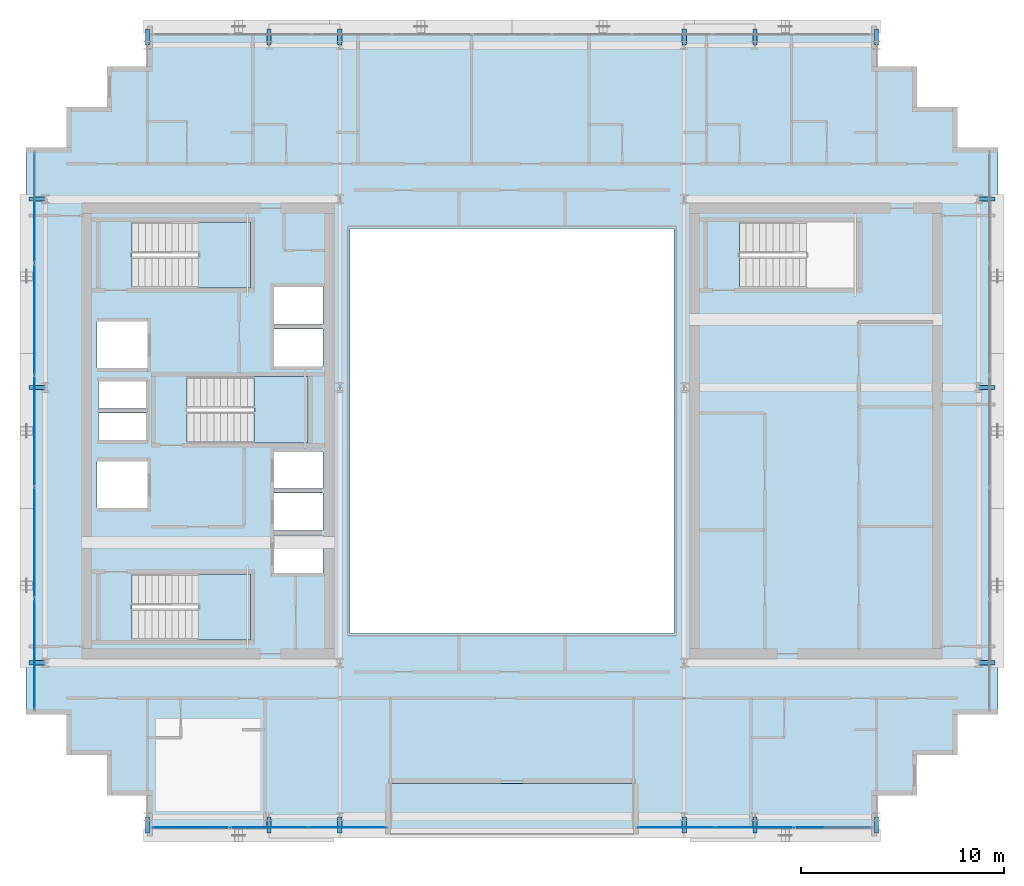
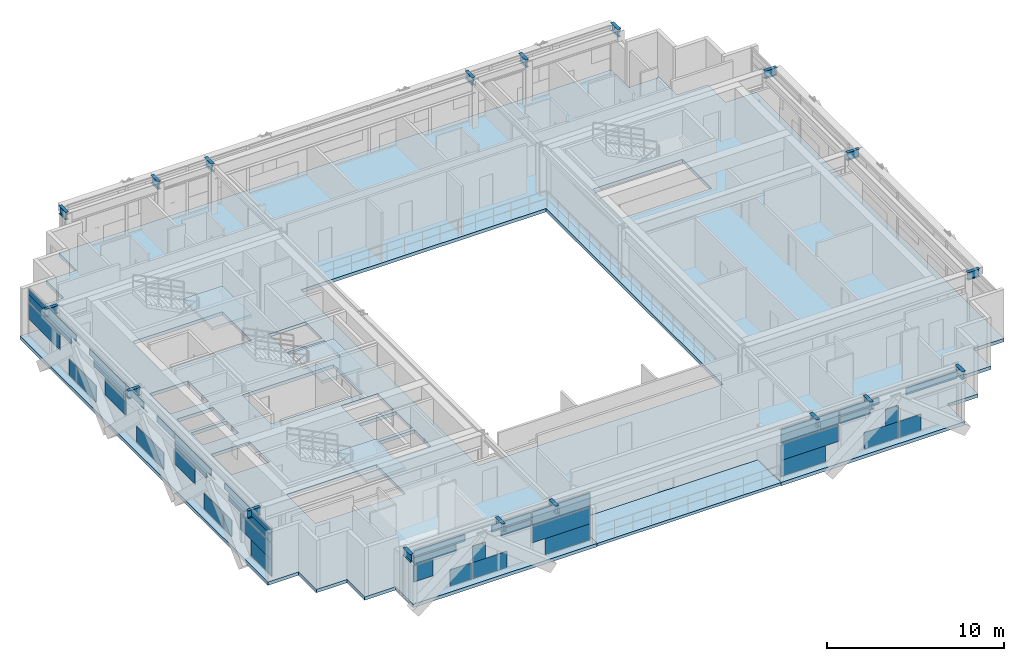
# One storey, part 20 of 31: 40 plates, 18 beams, 5 slabs, 6 elements without a shape of their own.
"""IFC4 building model written with IfcOpenShell, lengths in metres."""

from ifc_helpers import new_model, si_unit, direction, frame, origin, origin_2d, place, context, subcontext, project, spatial, polyline, rectangle, i_section, outline, extrude, source, transform, mapped, material, layer, layer_set, material_profile, profile_set, type_object, element, aggregate, save


model = new_model("IFC4")

# Units and contexts
model_context = context("Model", 3, precision=1e-05, world=origin(), true_north=direction((0.0, 1.0)))
body_context = subcontext(model_context, "Body", "Model", "MODEL_VIEW")
ifc_project = project(units=[si_unit("LENGTHUNIT", "METRE"), si_unit("AREAUNIT", "SQUARE_METRE"), si_unit("VOLUMEUNIT", "CUBIC_METRE"), si_unit("PLANEANGLEUNIT", "RADIAN"), si_unit("MASSUNIT", "GRAM", prefix="KILO")], contexts=[model_context])

# Site, building, storey
site_placement = place(None, origin())
site = spatial("IfcSite", under=ifc_project, at=site_placement, CompositionType="ELEMENT")
building_placement = place(site_placement, origin())
building = spatial("IfcBuilding", under=site, at=building_placement, Name="Ocotamira Hotel", CompositionType="ELEMENT")
storey_placement = place(building_placement, frame((0.0, 0.0, 188.39990234375)))
storey = spatial("IfcBuildingStorey", under=building, at=storey_placement, Name="L47", CompositionType="ELEMENT", Elevation=188.39990234375)

# Beams
ifc_material_1 = material(Name="Steel ASTM A992 Grade 50", Category="steel")
ifc_material_profile = material_profile(ifc_material_1, i_section(OverallWidth=0.2099609375, OverallDepth=0.537109375, WebThickness=0.010986328125, FlangeThickness=0.017333984375, FilletRadius=0.012939453125, at=origin_2d()), Name="W21X68")
ifc_profile_set = profile_set([ifc_material_profile], Name="Steel ASTM A992 Grade 50")
beam_type = type_object("IfcBeamType", Name="BM-SEC-W21X68", PredefinedType="JOIST", material=ifc_profile_set)
shared_shape_1 = source(origin(), body_context, "Body", "SweptSolid", [
    extrude(i_section(OverallWidth=0.2099609375, OverallDepth=0.537109375, WebThickness=0.010986328125, FlangeThickness=0.017333984375, FilletRadius=0.012939453125, at=origin_2d()), origin(), (0.0, 0.0, 1.0), 0.800048828125),
])
for number, where, z_axis, x_axis, name in (
    (1, (14.0, 6.949951171875, 3.1015625), (0.0, -1.0, 0.0), (1.0, 0.0, 0.0), "L47 South Edge Header X14"),
    (2, (14.0, 45.050048828125, 3.1015625), (0.0, 1.0, 0.0), (-1.0, 0.0, 0.0), "L47 North Edge Header X14"),
    (3, (20.0, 6.949951171875, 3.1015625), (0.0, -1.0, 0.0), (1.0, 0.0, 0.0), "L47 South Edge Header X20"),
    (4, (20.0, 45.050048828125, 3.1015625), (0.0, 1.0, 0.0), (-1.0, 0.0, 0.0), "L47 North Edge Header X20"),
    (5, (23.5, 6.949951171875, 3.1015625), (0.0, -1.0, 0.0), (1.0, 0.0, 0.0), "L47 South Edge Header X23.5"),
    (6, (23.5, 45.050048828125, 3.1015625), (0.0, 1.0, 0.0), (-1.0, 0.0, 0.0), "L47 North Edge Header X23.5"),
    (7, (40.5, 6.949951171875, 3.1015625), (0.0, -1.0, 0.0), (1.0, 0.0, 0.0), "L47 South Edge Header X40.5"),
    (8, (40.5, 45.050048828125, 3.1015625), (0.0, 1.0, 0.0), (-1.0, 0.0, 0.0), "L47 North Edge Header X40.5"),
    (9, (44.0, 6.949951171875, 3.1015625), (0.0, -1.0, 0.0), (1.0, 0.0, 0.0), "L47 South Edge Header X44"),
    (10, (44.0, 45.050048828125, 3.1015625), (0.0, 1.0, 0.0), (-1.0, 0.0, 0.0), "L47 North Edge Header X44"),
    (11, (50.0, 6.949951171875, 3.1015625), (0.0, -1.0, 0.0), (1.0, 0.0, 0.0), "L47 South Edge Header X50"),
    (12, (50.0, 45.050048828125, 3.1015625), (0.0, 1.0, 0.0), (-1.0, 0.0, 0.0), "L47 North Edge Header X50"),
    (13, (8.949951171875, 14.550048828125, 3.1015625), (-1.0, 0.0, 0.0), (0.0, -1.0, 0.0), "L47 West Edge Header Y14.55"),
    (14, (55.050048828125, 14.550048828125, 3.1015625), (1.0, 0.0, 0.0), (0.0, 1.0, 0.0), "L47 East Edge Header Y14.55"),
    (15, (8.949951171875, 28.14990234375, 3.1015625), (-1.0, 0.0, 0.0), (0.0, -1.0, 0.0), "L47 West Edge Header Y28.15"),
    (16, (55.050048828125, 28.14990234375, 3.1015625), (1.0, 0.0, 0.0), (0.0, 1.0, 0.0), "L47 East Edge Header Y28.15"),
    (17, (8.949951171875, 37.449951171875, 3.1015625), (-1.0, 0.0, 0.0), (0.0, -1.0, 0.0), "L47 West Edge Header Y37.45"),
    (18, (55.050048828125, 37.449951171875, 3.1015625), (1.0, 0.0, 0.0), (0.0, 1.0, 0.0), "L47 East Edge Header Y37.45"),
):
    element("IfcBeam", number, at=place(storey_placement, frame(where, z_axis=z_axis, x_axis=x_axis)), inside=storey, type_object=beam_type, Name=name, PredefinedType="JOIST", context=body_context, shape_type="MappedRepresentation", body=[
        mapped(shared_shape_1, transform((0.0, 0.0, 0.0), scale=1.0)),
    ])

# Slab
ifc_material_2 = material(Name="Concrete C40/50", Category="concrete")
ifc_layer_1 = layer(ifc_material_2, 0.199951171875)
ifc_layer_set_1 = layer_set([ifc_layer_1], Name="Concrete C40/50")
slab_type_1 = type_object("IfcSlabType", Name="SLB-BAL-200", PredefinedType="FLOOR", material=ifc_layer_set_1)
slab_1_placement = place(storey_placement, frame((0.0, 0.0, -0.199951171875)))
element("IfcSlab", 19, at=slab_1_placement, inside=storey, type_object=slab_type_1, Name="L47 Outdoor Sky Terrace Slab 1", PredefinedType="FLOOR", context=body_context, shape_type="SweptSolid", body=[
    extrude(outline(polyline([(26.0, 6.0), (38.0, 6.0), (38.0, 8.60009765625), (26.0, 8.60009765625), (26.0, 6.0)])), origin(), (0.0, 0.0, 1.0), 0.199951171875),
])

# Stair, slab
stair_type = type_object("IfcStairType", Name="ST-CORE-1560", PredefinedType="HALF_TURN_STAIR", material=ifc_material_2)
stair_1_placement = place(storey_placement, origin())
stair_1 = element("IfcStair", 20, at=stair_1_placement, inside=storey, type_object=stair_type, Name="L47 Exit Stair ST-1", PredefinedType="HALF_TURN_STAIR")
ifc_layer_2 = layer(ifc_material_2, 0.199951171875)
ifc_layer_set_2 = layer_set([ifc_layer_2], Name="Concrete C40/50")
slab_type_2 = type_object("IfcSlabType", Name="SLB-LAND-200", PredefinedType="LANDING", material=ifc_layer_set_2)
slab_2_placement = place(storey_placement, frame((0.0, 0.0, 1.60009765625)))
slab_2 = element("IfcSlab", 21, at=slab_2_placement, type_object=slab_type_2, Name="ST-1 landing 1", PredefinedType="LANDING", context=body_context, shape_type="SweptSolid", body=[
    extrude(outline(polyline([(16.530029296875, 15.669921875), (19.090087890625, 15.669921875), (19.090087890625, 18.949951171875), (16.530029296875, 18.949951171875), (16.530029296875, 15.669921875)])), origin(), (0.0, 0.0, 1.0), 0.199951171875),
])
aggregate(stair_1, [slab_2])

stair_2_placement = place(storey_placement, origin())
stair_2 = element("IfcStair", 22, at=stair_2_placement, inside=storey, type_object=stair_type, Name="L47 Exit Stair ST-2", PredefinedType="HALF_TURN_STAIR")
slab_3_placement = place(storey_placement, frame((0.0, 0.0, 1.60009765625)))
slab_3 = element("IfcSlab", 23, at=slab_3_placement, type_object=slab_type_2, Name="ST-2 landing 1", PredefinedType="LANDING", context=body_context, shape_type="SweptSolid", body=[
    extrude(outline(polyline([(16.530029296875, 33.050048828125), (19.090087890625, 33.050048828125), (19.090087890625, 36.330078125), (16.530029296875, 36.330078125), (16.530029296875, 33.050048828125)])), origin(), (0.0, 0.0, 1.0), 0.199951171875),
])
aggregate(stair_2, [slab_3])

stair_3_placement = place(storey_placement, origin())
stair_3 = element("IfcStair", 24, at=stair_3_placement, inside=storey, type_object=stair_type, Name="L47 Exit Stair ST-3", PredefinedType="HALF_TURN_STAIR")
slab_4_placement = place(storey_placement, frame((0.0, 0.0, 1.60009765625)))
slab_4 = element("IfcSlab", 25, at=slab_4_placement, type_object=slab_type_2, Name="ST-3 landing 1", PredefinedType="LANDING", context=body_context, shape_type="SweptSolid", body=[
    extrude(outline(polyline([(19.260009765625, 25.39990234375), (21.919921875, 25.39990234375), (21.919921875, 28.679931640625), (19.260009765625, 28.679931640625), (19.260009765625, 25.39990234375)])), origin(), (0.0, 0.0, 1.0), 0.199951171875),
])
aggregate(stair_3, [slab_4])

# Slab
ifc_layer_3 = layer(ifc_material_2, 0.22998046875)
ifc_layer_set_3 = layer_set([ifc_layer_3], Name="Concrete C40/50")
slab_type_3 = type_object("IfcSlabType", Name="SLB-Z3-230", PredefinedType="FLOOR", material=ifc_layer_set_3)
slab_5_placement = place(storey_placement, frame((0.0, 0.0, -0.22998046875)))
element("IfcSlab", 26, at=slab_5_placement, inside=storey, type_object=slab_type_3, Name="L47 Structural Floor Slab", PredefinedType="FLOOR", context=body_context, shape_type="SweptSolid", body=[
    extrude(outline(polyline([(14.0, 6.0), (14.0, 8.0), (12.0, 8.0), (12.0, 10.0), (10.0, 10.0), (10.0, 12.0), (8.0, 12.0), (8.0, 40.0), (10.0, 40.0), (10.0, 42.0), (12.0, 42.0), (12.0, 44.0), (14.0, 44.0), (14.0, 46.0), (50.0, 46.0), (50.0, 44.0), (52.0, 44.0), (52.0, 42.0), (54.0, 42.0), (54.0, 40.0), (56.0, 40.0), (56.0, 12.0), (54.0, 12.0), (54.0, 10.0), (52.0, 10.0), (52.0, 8.0), (50.0, 8.0), (50.0, 6.0), (38.0, 6.0), (38.0, 8.60009765625), (26.0, 8.60009765625), (26.0, 6.0), (14.0, 6.0)]), holes=[polyline([(24.0, 16.0), (40.0, 16.0), (40.0, 36.0), (24.0, 36.0), (24.0, 16.0)]), polyline([(13.22998046875, 15.669921875), (19.090087890625, 15.669921875), (19.090087890625, 18.949951171875), (13.22998046875, 18.949951171875), (13.22998046875, 15.669921875)]), polyline([(13.22998046875, 33.050048828125), (19.090087890625, 33.050048828125), (19.090087890625, 36.330078125), (13.22998046875, 36.330078125), (13.22998046875, 33.050048828125)]), polyline([(15.9599609375, 25.39990234375), (21.919921875, 25.39990234375), (21.919921875, 28.679931640625), (15.9599609375, 28.679931640625), (15.9599609375, 25.39990234375)]), polyline([(43.22998046875, 33.050048828125), (49.090087890625, 33.050048828125), (49.090087890625, 36.330078125), (43.22998046875, 36.330078125), (43.22998046875, 33.050048828125)]), polyline([(20.25, 19.0), (22.659912109375, 19.0), (22.659912109375, 20.85009765625), (20.25, 20.85009765625), (20.25, 19.0)]), polyline([(20.25, 21.080078125), (22.659912109375, 21.080078125), (22.659912109375, 22.929931640625), (20.25, 22.929931640625), (20.25, 21.080078125)]), polyline([(20.25, 23.159912109375), (22.659912109375, 23.159912109375), (22.659912109375, 24.9599609375), (20.25, 24.9599609375), (20.25, 23.159912109375)]), polyline([(20.25, 29.179931640625), (22.659912109375, 29.179931640625), (22.659912109375, 31.030029296875), (20.25, 31.030029296875), (20.25, 29.179931640625)]), polyline([(20.25, 31.260009765625), (22.659912109375, 31.260009765625), (22.659912109375, 33.110107421875), (20.25, 33.110107421875), (20.25, 31.260009765625)]), polyline([(11.5, 22.199951171875), (14.0, 22.199951171875), (14.0, 24.5), (11.5, 24.5), (11.5, 22.199951171875)]), polyline([(11.5, 29.10009765625), (14.0, 29.10009765625), (14.0, 31.39990234375), (11.5, 31.39990234375), (11.5, 29.10009765625)]), polyline([(11.580078125, 25.550048828125), (13.919921875, 25.550048828125), (13.919921875, 26.89990234375), (11.580078125, 26.89990234375), (11.580078125, 25.550048828125)]), polyline([(11.580078125, 27.10009765625), (13.919921875, 27.10009765625), (13.919921875, 28.449951171875), (11.580078125, 28.449951171875), (11.580078125, 27.10009765625)])]), origin(), (0.0, 0.0, 1.0), 0.22998046875),
])

# Curtain wall, plates
ifc_material_3 = material(Name="Anodised pale-metal aluminium and solar glass", Category="aluminium")
ifc_layer_4 = layer(ifc_material_3, 0.199951171875)
ifc_layer_set_4 = layer_set([ifc_layer_4], Name="Anodised pale-metal aluminium and solar glass")
curtain_wall_type = type_object("IfcCurtainWallType", Name="CW-SYS4-Z3", PredefinedType="NOTDEFINED", material=ifc_layer_set_4)
curtain_wall_1_placement = place(storey_placement, origin())
curtain_wall_1 = element("IfcCurtainWall", 27, at=curtain_wall_1_placement, inside=storey, type_object=curtain_wall_type, Name="L47 Curtain Wall CW-4 CW-L47-S1", PredefinedType="NOTDEFINED")
ifc_material_4 = material(Name="Double-silver low-E insulated solar glass", Category="glass")
ifc_layer_5 = layer(ifc_material_4, 0.031982421875)
ifc_layer_set_5 = layer_set([ifc_layer_5], Name="Double-silver low-E insulated solar glass")
plate_type = type_object("IfcPlateType", Name="CWP-VISION-32", PredefinedType="CURTAIN_PANEL", material=ifc_layer_set_5)
shared_shape_2 = source(origin(), body_context, "Body", "SweptSolid", [
    extrude(rectangle(XDim=1.251953125, YDim=0.031982421875, at=origin_2d()), origin(), (0.0, 0.0, 1.0), 1.118896484375),
])
plate_1_placement = place(storey_placement, frame((14.906005859375, 6.419921875, 1.19384765625), z_axis=(0.0, 0.0, 1.0), x_axis=(1.0, 0.0, 0.0)))
plate_1 = element("IfcPlate", 28, at=plate_1_placement, type_object=plate_type, Name="CW-4 panel 1.1.1", PredefinedType="CURTAIN_PANEL", context=body_context, shape_type="MappedRepresentation", body=[
    mapped(shared_shape_2, transform((0.0, 0.0, 0.0), scale=1.0)),
])
shared_shape_3 = source(origin(), body_context, "Body", "SweptSolid", [
    extrude(rectangle(XDim=1.390869140625, YDim=0.031982421875, at=origin_2d()), origin(), (0.0, 0.0, 1.0), 1.118896484375),
])
plate_2_placement = place(storey_placement, frame((17.347900390625, 6.419921875, 0.0751953125), z_axis=(0.0, 0.0, 1.0), x_axis=(1.0, 0.0, 0.0)))
plate_2 = element("IfcPlate", 29, at=plate_2_placement, type_object=plate_type, Name="CW-4 panel 1.1.2", PredefinedType="CURTAIN_PANEL", context=body_context, shape_type="MappedRepresentation", body=[
    mapped(shared_shape_3, transform((0.0, 0.0, 0.0), scale=1.0)),
])

# Curtain wall, plate
curtain_wall_2_placement = place(storey_placement, origin())
curtain_wall_2 = element("IfcCurtainWall", 30, at=curtain_wall_2_placement, inside=storey, type_object=curtain_wall_type, Name="L47 Curtain Wall CW-4 CW-L47-S2", PredefinedType="NOTDEFINED")
plate_3_placement = place(storey_placement, frame((46.652099609375, 6.419921875, 0.0751953125), z_axis=(0.0, 0.0, 1.0), x_axis=(1.0, 0.0, 0.0)))
plate_3 = element("IfcPlate", 31, at=plate_3_placement, type_object=plate_type, Name="CW-4 panel 3.1.1", PredefinedType="CURTAIN_PANEL", context=body_context, shape_type="MappedRepresentation", body=[
    mapped(shared_shape_3, transform((0.0, 0.0, 0.0), scale=1.0)),
])

# Plate
shared_shape_4 = source(origin(), body_context, "Body", "SweptSolid", [
    extrude(rectangle(XDim=2.744140625, YDim=0.031982421875, at=origin_2d()), origin(), (0.0, 0.0, 1.0), 0.443603515625),
])
plate_4_placement = place(storey_placement, frame((15.652099609375, 6.419921875, 2.3876953125), z_axis=(0.0, 0.0, 1.0), x_axis=(1.0, 0.0, 0.0)))
plate_4 = element("IfcPlate", 32, at=plate_4_placement, type_object=plate_type, Name="CW-4 panel 1.2.1", PredefinedType="CURTAIN_PANEL", context=body_context, shape_type="MappedRepresentation", body=[
    mapped(shared_shape_4, transform((0.0, 0.0, 0.0), scale=1.0)),
])

shared_shape_5 = source(origin(), body_context, "Body", "SweptSolid", [
    extrude(rectangle(XDim=3.337646484375, YDim=0.031982421875, at=origin_2d()), origin(), (0.0, 0.0, 1.0), 0.4326171875),
])
plate_5_placement = place(storey_placement, frame((15.94873046875, 6.419921875, 2.862548828125), z_axis=(0.0, 0.0, 1.0), x_axis=(1.0, 0.0, 0.0)))
plate_5 = element("IfcPlate", 33, at=plate_5_placement, type_object=plate_type, Name="CW-4 panel 1.2.2", PredefinedType="CURTAIN_PANEL", context=body_context, shape_type="MappedRepresentation", body=[
    mapped(shared_shape_5, transform((0.0, 0.0, 0.0), scale=1.0)),
])

plate_6_placement = place(storey_placement, frame((48.05126953125, 6.419921875, 2.862548828125), z_axis=(0.0, 0.0, 1.0), x_axis=(1.0, 0.0, 0.0)))
plate_6 = element("IfcPlate", 34, at=plate_6_placement, type_object=plate_type, Name="CW-4 panel 3.2.1", PredefinedType="CURTAIN_PANEL", context=body_context, shape_type="MappedRepresentation", body=[
    mapped(shared_shape_5, transform((0.0, 0.0, 0.0), scale=1.0)),
])

shared_shape_6 = source(origin(), body_context, "Body", "SweptSolid", [
    extrude(rectangle(XDim=2.22412109375, YDim=0.031982421875, at=origin_2d()), origin(), (0.0, 0.0, 1.0), 1.118896484375),
])
plate_7_placement = place(storey_placement, frame((19.2353515625, 6.419921875, 0.0751953125), z_axis=(0.0, 0.0, 1.0), x_axis=(1.0, 0.0, 0.0)))
plate_7 = element("IfcPlate", 35, at=plate_7_placement, type_object=plate_type, Name="CW-4 panel 2.1.1", PredefinedType="CURTAIN_PANEL", context=body_context, shape_type="MappedRepresentation", body=[
    mapped(shared_shape_6, transform((0.0, 0.0, 0.0), scale=1.0)),
])

plate_8_placement = place(storey_placement, frame((44.7646484375, 6.419921875, 0.0751953125), z_axis=(0.0, 0.0, 1.0), x_axis=(1.0, 0.0, 0.0)))
plate_8 = element("IfcPlate", 36, at=plate_8_placement, type_object=plate_type, Name="CW-4 panel 2.1.1", PredefinedType="CURTAIN_PANEL", context=body_context, shape_type="MappedRepresentation", body=[
    mapped(shared_shape_6, transform((0.0, 0.0, 0.0), scale=1.0)),
])

shared_shape_7 = source(origin(), body_context, "Body", "SweptSolid", [
    extrude(rectangle(XDim=0.82568359375, YDim=0.031982421875, at=origin_2d()), origin(), (0.0, 0.0, 1.0), 1.118896484375),
])
plate_9_placement = place(storey_placement, frame((18.5361328125, 6.419921875, 1.19384765625), z_axis=(0.0, 0.0, 1.0), x_axis=(1.0, 0.0, 0.0)))
plate_9 = element("IfcPlate", 37, at=plate_9_placement, type_object=plate_type, Name="CW-4 panel 2.1.2", PredefinedType="CURTAIN_PANEL", context=body_context, shape_type="MappedRepresentation", body=[
    mapped(shared_shape_7, transform((0.0, 0.0, 0.0), scale=1.0)),
])

plate_10_placement = place(storey_placement, frame((45.4638671875, 6.419921875, 1.19384765625), z_axis=(0.0, 0.0, 1.0), x_axis=(1.0, 0.0, 0.0)))
plate_10 = element("IfcPlate", 38, at=plate_10_placement, type_object=plate_type, Name="CW-4 panel 2.1.2", PredefinedType="CURTAIN_PANEL", context=body_context, shape_type="MappedRepresentation", body=[
    mapped(shared_shape_7, transform((0.0, 0.0, 0.0), scale=1.0)),
])

shared_shape_8 = source(origin(), body_context, "Body", "SweptSolid", [
    extrude(rectangle(XDim=2.544189453125, YDim=0.031982421875, at=origin_2d()), origin(), (0.0, 0.0, 1.0), 0.4326171875),
])
plate_11_placement = place(storey_placement, frame((20.654541015625, 6.419921875, 2.862548828125), z_axis=(0.0, 0.0, 1.0), x_axis=(1.0, 0.0, 0.0)))
plate_11 = element("IfcPlate", 39, at=plate_11_placement, type_object=plate_type, Name="CW-4 panel 2.2.1", PredefinedType="CURTAIN_PANEL", context=body_context, shape_type="MappedRepresentation", body=[
    mapped(shared_shape_8, transform((0.0, 0.0, 0.0), scale=1.0)),
])

plate_12_placement = place(storey_placement, frame((43.345458984375, 6.419921875, 2.862548828125), z_axis=(0.0, 0.0, 1.0), x_axis=(1.0, 0.0, 0.0)))
plate_12 = element("IfcPlate", 40, at=plate_12_placement, type_object=plate_type, Name="CW-4 panel 2.2.2", PredefinedType="CURTAIN_PANEL", context=body_context, shape_type="MappedRepresentation", body=[
    mapped(shared_shape_8, transform((0.0, 0.0, 0.0), scale=1.0)),
])

shared_shape_9 = source(origin(), body_context, "Body", "SweptSolid", [
    extrude(rectangle(XDim=1.95068359375, YDim=0.031982421875, at=origin_2d()), origin(), (0.0, 0.0, 1.0), 0.443603515625),
])
plate_13_placement = place(storey_placement, frame((20.951416015625, 6.419921875, 2.3876953125), z_axis=(0.0, 0.0, 1.0), x_axis=(1.0, 0.0, 0.0)))
plate_13 = element("IfcPlate", 41, at=plate_13_placement, type_object=plate_type, Name="CW-4 panel 2.2.2", PredefinedType="CURTAIN_PANEL", context=body_context, shape_type="MappedRepresentation", body=[
    mapped(shared_shape_9, transform((0.0, 0.0, 0.0), scale=1.0)),
])

plate_14_placement = place(storey_placement, frame((43.048583984375, 6.419921875, 2.3876953125), z_axis=(0.0, 0.0, 1.0), x_axis=(1.0, 0.0, 0.0)))
plate_14 = element("IfcPlate", 42, at=plate_14_placement, type_object=plate_type, Name="CW-4 panel 2.2.1", PredefinedType="CURTAIN_PANEL", context=body_context, shape_type="MappedRepresentation", body=[
    mapped(shared_shape_9, transform((0.0, 0.0, 0.0), scale=1.0)),
])

shared_shape_10 = source(origin(), body_context, "Body", "SweptSolid", [
    extrude(rectangle(XDim=3.76318359375, YDim=0.031982421875, at=origin_2d()), origin(), (0.0, 0.0, 1.0), 1.118896484375),
])
plate_15_placement = place(storey_placement, frame((23.88818359375, 6.419921875, 1.19384765625), z_axis=(0.0, 0.0, 1.0), x_axis=(1.0, 0.0, 0.0)))
plate_15 = element("IfcPlate", 43, at=plate_15_placement, type_object=plate_type, Name="CW-4 panel 3.1.1", PredefinedType="CURTAIN_PANEL", context=body_context, shape_type="MappedRepresentation", body=[
    mapped(shared_shape_10, transform((0.0, 0.0, 0.0), scale=1.0)),
])

plate_16_placement = place(storey_placement, frame((40.11181640625, 6.419921875, 1.19384765625), z_axis=(0.0, 0.0, 1.0), x_axis=(1.0, 0.0, 0.0)))
plate_16 = element("IfcPlate", 44, at=plate_16_placement, type_object=plate_type, Name="CW-4 panel 1.1.2", PredefinedType="CURTAIN_PANEL", context=body_context, shape_type="MappedRepresentation", body=[
    mapped(shared_shape_10, transform((0.0, 0.0, 0.0), scale=1.0)),
])

shared_shape_11 = source(origin(), body_context, "Body", "SweptSolid", [
    extrude(rectangle(XDim=2.903564453125, YDim=0.031982421875, at=origin_2d()), origin(), (0.0, 0.0, 1.0), 1.118896484375),
])
plate_17_placement = place(storey_placement, frame((24.318359375, 6.419921875, 0.0751953125), z_axis=(0.0, 0.0, 1.0), x_axis=(1.0, 0.0, 0.0)))
plate_17 = element("IfcPlate", 45, at=plate_17_placement, type_object=plate_type, Name="CW-4 panel 3.1.2", PredefinedType="CURTAIN_PANEL", context=body_context, shape_type="MappedRepresentation", body=[
    mapped(shared_shape_11, transform((0.0, 0.0, 0.0), scale=1.0)),
])

plate_18_placement = place(storey_placement, frame((39.681640625, 6.419921875, 0.0751953125), z_axis=(0.0, 0.0, 1.0), x_axis=(1.0, 0.0, 0.0)))
plate_18 = element("IfcPlate", 46, at=plate_18_placement, type_object=plate_type, Name="CW-4 panel 1.1.1", PredefinedType="CURTAIN_PANEL", context=body_context, shape_type="MappedRepresentation", body=[
    mapped(shared_shape_11, transform((0.0, 0.0, 0.0), scale=1.0)),
])

shared_shape_12 = source(origin(), body_context, "Body", "SweptSolid", [
    extrude(rectangle(XDim=3.763427734375, YDim=0.031982421875, at=origin_2d()), origin(), (0.0, 0.0, 1.0), 0.907470703125),
])
plate_19_placement = place(storey_placement, frame((23.888427734375, 6.419921875, 2.3876953125), z_axis=(0.0, 0.0, 1.0), x_axis=(1.0, 0.0, 0.0)))
plate_19 = element("IfcPlate", 47, at=plate_19_placement, type_object=plate_type, Name="CW-4 panel 3.2", PredefinedType="CURTAIN_PANEL", context=body_context, shape_type="MappedRepresentation", body=[
    mapped(shared_shape_12, transform((0.0, 0.0, 0.0), scale=1.0)),
])

aggregate(curtain_wall_1, [plate_1, plate_2, plate_4, plate_5, plate_7, plate_9, plate_11, plate_13, plate_15, plate_17, plate_19])

plate_20_placement = place(storey_placement, frame((40.111572265625, 6.419921875, 2.3876953125), z_axis=(0.0, 0.0, 1.0), x_axis=(1.0, 0.0, 0.0)))
plate_20 = element("IfcPlate", 48, at=plate_20_placement, type_object=plate_type, Name="CW-4 panel 1.2", PredefinedType="CURTAIN_PANEL", context=body_context, shape_type="MappedRepresentation", body=[
    mapped(shared_shape_12, transform((0.0, 0.0, 0.0), scale=1.0)),
])

aggregate(curtain_wall_2, [plate_18, plate_16, plate_20, plate_8, plate_10, plate_14, plate_12, plate_3, plate_6])

# Curtain wall, plates
curtain_wall_3_placement = place(storey_placement, origin())
curtain_wall_3 = element("IfcCurtainWall", 49, at=curtain_wall_3_placement, inside=storey, type_object=curtain_wall_type, Name="L47 Curtain Wall CW-4 CW-L47-W", PredefinedType="NOTDEFINED")
shared_shape_13 = source(origin(), body_context, "Body", "SweptSolid", [
    extrude(rectangle(XDim=2.348388671875, YDim=0.031982421875, at=origin_2d()), origin(), (0.0, 0.0, 1.0), 1.118896484375),
])
plate_21_placement = place(storey_placement, frame((8.419921875, 13.4541015625, 0.0751953125), z_axis=(0.0, 0.0, 1.0), x_axis=(0.0, 1.0, 0.0)))
plate_21 = element("IfcPlate", 50, at=plate_21_placement, type_object=plate_type, Name="CW-4 panel 1.1.1", PredefinedType="CURTAIN_PANEL", context=body_context, shape_type="MappedRepresentation", body=[
    mapped(shared_shape_13, transform((0.0, 0.0, 0.0), scale=1.0)),
])
shared_shape_14 = source(origin(), body_context, "Body", "SweptSolid", [
    extrude(rectangle(XDim=3.534423828125, YDim=0.031982421875, at=origin_2d()), origin(), (0.0, 0.0, 1.0), 1.118896484375),
])
plate_22_placement = place(storey_placement, frame((8.419921875, 14.047119140625, 1.19384765625), z_axis=(0.0, 0.0, 1.0), x_axis=(0.0, 1.0, 0.0)))
plate_22 = element("IfcPlate", 51, at=plate_22_placement, type_object=plate_type, Name="CW-4 panel 1.1.2", PredefinedType="CURTAIN_PANEL", context=body_context, shape_type="MappedRepresentation", body=[
    mapped(shared_shape_14, transform((0.0, 0.0, 0.0), scale=1.0)),
])
plate_23_placement = place(storey_placement, frame((8.419921875, 37.952880859375, 1.19384765625), z_axis=(0.0, 0.0, 1.0), x_axis=(0.0, 1.0, 0.0)))
plate_23 = element("IfcPlate", 52, at=plate_23_placement, type_object=plate_type, Name="CW-4 panel 5.1.2", PredefinedType="CURTAIN_PANEL", context=body_context, shape_type="MappedRepresentation", body=[
    mapped(shared_shape_14, transform((0.0, 0.0, 0.0), scale=1.0)),
])
shared_shape_15 = source(origin(), body_context, "Body", "SweptSolid", [
    extrude(rectangle(XDim=0.845458984375, YDim=0.031982421875, at=origin_2d()), origin(), (0.0, 0.0, 1.0), 1.118896484375),
])
plate_24_placement = place(storey_placement, frame((8.419921875, 17.25732421875, 0.0751953125), z_axis=(0.0, 0.0, 1.0), x_axis=(0.0, 1.0, 0.0)))
plate_24 = element("IfcPlate", 53, at=plate_24_placement, type_object=plate_type, Name="CW-4 panel 1.1.3", PredefinedType="CURTAIN_PANEL", context=body_context, shape_type="MappedRepresentation", body=[
    mapped(shared_shape_15, transform((0.0, 0.0, 0.0), scale=1.0)),
])
plate_25_placement = place(storey_placement, frame((8.419921875, 34.74267578125, 0.0751953125), z_axis=(0.0, 0.0, 1.0), x_axis=(0.0, 1.0, 0.0)))
plate_25 = element("IfcPlate", 54, at=plate_25_placement, type_object=plate_type, Name="CW-4 panel 5.1.1", PredefinedType="CURTAIN_PANEL", context=body_context, shape_type="MappedRepresentation", body=[
    mapped(shared_shape_15, transform((0.0, 0.0, 0.0), scale=1.0)),
])
shared_shape_16 = source(origin(), body_context, "Body", "SweptSolid", [
    extrude(rectangle(XDim=4.7998046875, YDim=0.031982421875, at=origin_2d()), origin(), (0.0, 0.0, 1.0), 0.4951171875),
])
plate_26_placement = place(storey_placement, frame((8.419921875, 14.679931640625, 2.387451171875), z_axis=(0.0, 0.0, 1.0), x_axis=(0.0, 1.0, 0.0)))
plate_26 = element("IfcPlate", 55, at=plate_26_placement, type_object=plate_type, Name="CW-4 panel 1.2.1", PredefinedType="CURTAIN_PANEL", context=body_context, shape_type="MappedRepresentation", body=[
    mapped(shared_shape_16, transform((0.0, 0.0, 0.0), scale=1.0)),
])
plate_27_placement = place(storey_placement, frame((8.419921875, 37.320068359375, 2.387451171875), z_axis=(0.0, 0.0, 1.0), x_axis=(0.0, 1.0, 0.0)))
plate_27 = element("IfcPlate", 56, at=plate_27_placement, type_object=plate_type, Name="CW-4 panel 5.2.2", PredefinedType="CURTAIN_PANEL", context=body_context, shape_type="MappedRepresentation", body=[
    mapped(shared_shape_16, transform((0.0, 0.0, 0.0), scale=1.0)),
])
shared_shape_17 = source(origin(), body_context, "Body", "SweptSolid", [
    extrude(rectangle(XDim=5.32470703125, YDim=0.031982421875, at=origin_2d()), origin(), (0.0, 0.0, 1.0), 0.41259765625),
])
plate_28_placement = place(storey_placement, frame((8.419921875, 14.9423828125, 2.882568359375), z_axis=(0.0, 0.0, 1.0), x_axis=(0.0, 1.0, 0.0)))
plate_28 = element("IfcPlate", 57, at=plate_28_placement, type_object=plate_type, Name="CW-4 panel 1.2.2", PredefinedType="CURTAIN_PANEL", context=body_context, shape_type="MappedRepresentation", body=[
    mapped(shared_shape_17, transform((0.0, 0.0, 0.0), scale=1.0)),
])
plate_29_placement = place(storey_placement, frame((8.419921875, 37.0576171875, 2.882568359375), z_axis=(0.0, 0.0, 1.0), x_axis=(0.0, 1.0, 0.0)))
plate_29 = element("IfcPlate", 58, at=plate_29_placement, type_object=plate_type, Name="CW-4 panel 5.2.1", PredefinedType="CURTAIN_PANEL", context=body_context, shape_type="MappedRepresentation", body=[
    mapped(shared_shape_17, transform((0.0, 0.0, 0.0), scale=1.0)),
])
shared_shape_18 = source(origin(), body_context, "Body", "SweptSolid", [
    extrude(rectangle(XDim=2.138671875, YDim=0.031982421875, at=origin_2d()), origin(), (0.0, 0.0, 1.0), 1.118896484375),
])
plate_30_placement = place(storey_placement, frame((8.419921875, 18.829345703125, 0.0751953125), z_axis=(0.0, 0.0, 1.0), x_axis=(0.0, 1.0, 0.0)))
plate_30 = element("IfcPlate", 59, at=plate_30_placement, type_object=plate_type, Name="CW-4 panel 2.1.1", PredefinedType="CURTAIN_PANEL", context=body_context, shape_type="MappedRepresentation", body=[
    mapped(shared_shape_18, transform((0.0, 0.0, 0.0), scale=1.0)),
])
plate_31_placement = place(storey_placement, frame((8.419921875, 33.170654296875, 0.0751953125), z_axis=(0.0, 0.0, 1.0), x_axis=(0.0, 1.0, 0.0)))
plate_31 = element("IfcPlate", 60, at=plate_31_placement, type_object=plate_type, Name="CW-4 panel 4.1.2", PredefinedType="CURTAIN_PANEL", context=body_context, shape_type="MappedRepresentation", body=[
    mapped(shared_shape_18, transform((0.0, 0.0, 0.0), scale=1.0)),
])
shared_shape_19 = source(origin(), body_context, "Body", "SweptSolid", [
    extrude(rectangle(XDim=2.281005859375, YDim=0.031982421875, at=origin_2d()), origin(), (0.0, 0.0, 1.0), 1.118896484375),
])
plate_32_placement = place(storey_placement, frame((8.419921875, 22.059326171875, 1.19384765625), z_axis=(0.0, 0.0, 1.0), x_axis=(0.0, 1.0, 0.0)))
plate_32 = element("IfcPlate", 61, at=plate_32_placement, type_object=plate_type, Name="CW-4 panel 2.1.2", PredefinedType="CURTAIN_PANEL", context=body_context, shape_type="MappedRepresentation", body=[
    mapped(shared_shape_19, transform((0.0, 0.0, 0.0), scale=1.0)),
])
plate_33_placement = place(storey_placement, frame((8.419921875, 29.940673828125, 1.19384765625), z_axis=(0.0, 0.0, 1.0), x_axis=(0.0, 1.0, 0.0)))
plate_33 = element("IfcPlate", 62, at=plate_33_placement, type_object=plate_type, Name="CW-4 panel 4.1.1", PredefinedType="CURTAIN_PANEL", context=body_context, shape_type="MappedRepresentation", body=[
    mapped(shared_shape_19, transform((0.0, 0.0, 0.0), scale=1.0)),
])
shared_shape_20 = source(origin(), body_context, "Body", "SweptSolid", [
    extrude(rectangle(XDim=4.071533203125, YDim=0.031982421875, at=origin_2d()), origin(), (0.0, 0.0, 1.0), 0.41259765625),
])
plate_34_placement = place(storey_placement, frame((8.419921875, 21.164306640625, 2.882568359375), z_axis=(0.0, 0.0, 1.0), x_axis=(0.0, 1.0, 0.0)))
plate_34 = element("IfcPlate", 63, at=plate_34_placement, type_object=plate_type, Name="CW-4 panel 2.2.1", PredefinedType="CURTAIN_PANEL", context=body_context, shape_type="MappedRepresentation", body=[
    mapped(shared_shape_20, transform((0.0, 0.0, 0.0), scale=1.0)),
])
plate_35_placement = place(storey_placement, frame((8.419921875, 30.835693359375, 2.882568359375), z_axis=(0.0, 0.0, 1.0), x_axis=(0.0, 1.0, 0.0)))
plate_35 = element("IfcPlate", 64, at=plate_35_placement, type_object=plate_type, Name="CW-4 panel 4.2.2", PredefinedType="CURTAIN_PANEL", context=body_context, shape_type="MappedRepresentation", body=[
    mapped(shared_shape_20, transform((0.0, 0.0, 0.0), scale=1.0)),
])
shared_shape_21 = source(origin(), body_context, "Body", "SweptSolid", [
    extrude(rectangle(XDim=3.546630859375, YDim=0.031982421875, at=origin_2d()), origin(), (0.0, 0.0, 1.0), 0.460693359375),
])
plate_36_placement = place(storey_placement, frame((8.419921875, 21.426513671875, 2.3876953125), z_axis=(0.0, 0.0, 1.0), x_axis=(0.0, 1.0, 0.0)))
plate_36 = element("IfcPlate", 65, at=plate_36_placement, type_object=plate_type, Name="CW-4 panel 2.2.2", PredefinedType="CURTAIN_PANEL", context=body_context, shape_type="MappedRepresentation", body=[
    mapped(shared_shape_21, transform((0.0, 0.0, 0.0), scale=1.0)),
])
plate_37_placement = place(storey_placement, frame((8.419921875, 30.573486328125, 2.3876953125), z_axis=(0.0, 0.0, 1.0), x_axis=(0.0, 1.0, 0.0)))
plate_37 = element("IfcPlate", 66, at=plate_37_placement, type_object=plate_type, Name="CW-4 panel 4.2.1", PredefinedType="CURTAIN_PANEL", context=body_context, shape_type="MappedRepresentation", body=[
    mapped(shared_shape_21, transform((0.0, 0.0, 0.0), scale=1.0)),
])
shared_shape_22 = source(origin(), body_context, "Body", "SweptSolid", [
    extrude(rectangle(XDim=3.064208984375, YDim=0.031982421875, at=origin_2d()), origin(), (0.0, 0.0, 1.0), 1.118896484375),
])
plate_38_placement = place(storey_placement, frame((8.419921875, 26.0, 0.0751953125), z_axis=(0.0, 0.0, 1.0), x_axis=(0.0, 1.0, 0.0)))
plate_38 = element("IfcPlate", 67, at=plate_38_placement, type_object=plate_type, Name="CW-4 panel 3.1.1", PredefinedType="CURTAIN_PANEL", context=body_context, shape_type="MappedRepresentation", body=[
    mapped(shared_shape_22, transform((0.0, 0.0, 0.0), scale=1.0)),
])
shared_shape_23 = source(origin(), body_context, "Body", "SweptSolid", [
    extrude(rectangle(XDim=1.958251953125, YDim=0.031982421875, at=origin_2d()), origin(), (0.0, 0.0, 1.0), 0.41259765625),
])
plate_39_placement = place(storey_placement, frame((8.419921875, 24.259033203125, 2.882568359375), z_axis=(0.0, 0.0, 1.0), x_axis=(0.0, 1.0, 0.0)))
plate_39 = element("IfcPlate", 68, at=plate_39_placement, type_object=plate_type, Name="CW-4 panel 3.2.1", PredefinedType="CURTAIN_PANEL", context=body_context, shape_type="MappedRepresentation", body=[
    mapped(shared_shape_23, transform((0.0, 0.0, 0.0), scale=1.0)),
])
plate_40_placement = place(storey_placement, frame((8.419921875, 27.740966796875, 2.882568359375), z_axis=(0.0, 0.0, 1.0), x_axis=(0.0, 1.0, 0.0)))
plate_40 = element("IfcPlate", 69, at=plate_40_placement, type_object=plate_type, Name="CW-4 panel 3.2.2", PredefinedType="CURTAIN_PANEL", context=body_context, shape_type="MappedRepresentation", body=[
    mapped(shared_shape_23, transform((0.0, 0.0, 0.0), scale=1.0)),
])
aggregate(curtain_wall_3, [plate_21, plate_22, plate_24, plate_26, plate_28, plate_30, plate_32, plate_34, plate_36, plate_38, plate_39, plate_40, plate_33, plate_31, plate_37, plate_35, plate_25, plate_23, plate_29, plate_27])

save(model, "model.ifc")
